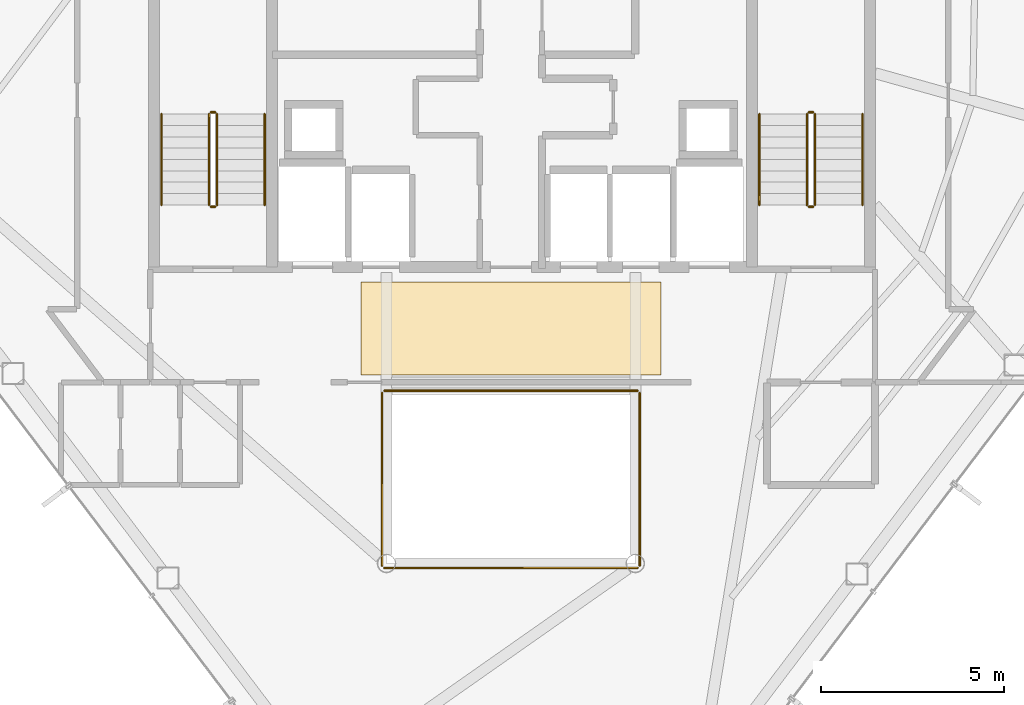
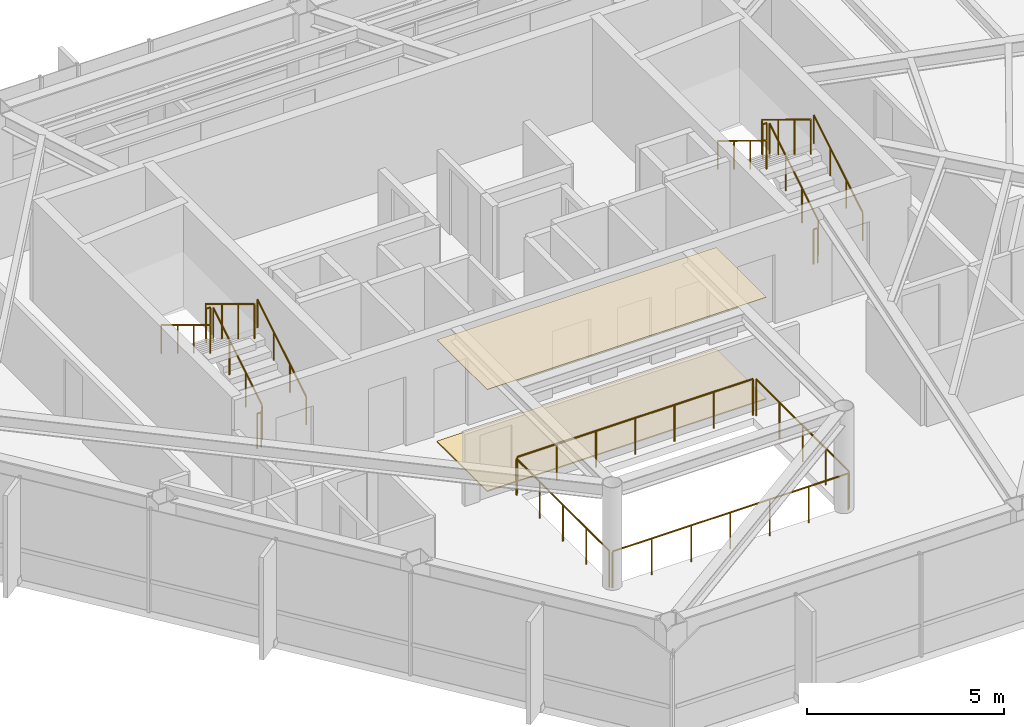
# One storey, part 25 of 25: 16 railings, 2 coverings.
"""IFC4 building model written with IfcOpenShell, lengths in metres."""

from ifc_helpers import new_model, si_unit, direction, frame, origin, origin_2d, place, context, subcontext, project, spatial, polyline, circle, outline, extrude, material, layer, layer_set, type_object, element, save


model = new_model("IFC4")

# Units and contexts
model_context = context("Model", 3, precision=1e-05, world=origin(), true_north=direction((0.0, 1.0)))
body_context = subcontext(model_context, "Body", "Model", "MODEL_VIEW")
ifc_project = project(units=[si_unit("LENGTHUNIT", "METRE"), si_unit("AREAUNIT", "SQUARE_METRE"), si_unit("VOLUMEUNIT", "CUBIC_METRE"), si_unit("PLANEANGLEUNIT", "RADIAN"), si_unit("MASSUNIT", "GRAM", prefix="KILO")], contexts=[model_context])

# Site, building, storey
site_placement = place(None, origin())
site = spatial("IfcSite", under=ifc_project, at=site_placement, CompositionType="ELEMENT")
building_placement = place(site_placement, origin())
building = spatial("IfcBuilding", under=site, at=building_placement, Name="Zarrinselat Tower", CompositionType="ELEMENT")
storey_placement = place(building_placement, frame((0.0, 0.0, 239.360107421875)))
storey = spatial("IfcBuildingStorey", under=building, at=storey_placement, Name="L60", CompositionType="ELEMENT", Elevation=239.360107421875)

# Coverings
ifc_material_1 = material(Name="Fire-Rated Gypsum Board Partition")
ifc_layer_1 = layer(ifc_material_1, 0.014892578125)
ifc_layer_set_1 = layer_set([ifc_layer_1], Name="Fire-Rated Gypsum Board Partition")
covering_type_1 = type_object("IfcCoveringType", Name="COV-CLG-AC15", PredefinedType="CEILING", material=ifc_layer_set_1)
covering_1_placement = place(storey_placement, frame((0.0, 0.0, 3.164794921875)))
element("IfcCovering", 1, at=covering_1_placement, inside=storey, type_object=covering_type_1, Name="L60 Lift Lobby Acoustic Ceiling", PredefinedType="CEILING", context=body_context, shape_type="SweptSolid", body=[
    extrude(outline(polyline([(34.300048828125, 30.35009765625), (42.5, 30.35009765625), (42.5, 32.89990234375), (34.300048828125, 32.89990234375), (34.300048828125, 30.35009765625)])), origin(), (0.0, 0.0, 1.0), 0.01513671875),
])
ifc_material_2 = material(Name="Precast concrete C40/50", Category="concrete")
ifc_layer_2 = layer(ifc_material_2, 0.034912109375)
ifc_layer_set_2 = layer_set([ifc_layer_2], Name="Precast concrete C40/50")
covering_type_2 = type_object("IfcCoveringType", Name="COV-FLR-CP35", PredefinedType="FLOORING", material=ifc_layer_set_2)
covering_2_placement = place(storey_placement, origin())
element("IfcCovering", 2, at=covering_2_placement, inside=storey, type_object=covering_type_2, Name="L60 Lift Lobby Stone Flooring", PredefinedType="FLOORING", context=body_context, shape_type="SweptSolid", body=[
    extrude(outline(polyline([(34.300048828125, 30.35009765625), (42.5, 30.35009765625), (42.5, 32.89990234375), (34.300048828125, 32.89990234375), (34.300048828125, 30.35009765625)])), origin(), (0.0, 0.0, 1.0), 0.034912109375),
])

# Railings
ifc_material_3 = material(Name="Double Low-E Laminated Solar Glass", Category="glass")
railing_type_1 = type_object("IfcRailingType", Name="RLG-ATRIUM-BAL", PredefinedType="BALUSTRADE", material=ifc_material_3)
railing_1_placement = place(storey_placement, frame((34.93994140625, 25.080078125, 0.0)))
element("IfcRailing", 3, at=railing_1_placement, inside=storey, type_object=railing_type_1, Name="L60 Atrium Void Glass Balustrade S", PredefinedType="BALUSTRADE", context=body_context, shape_type="SweptSolid", body=[
    extrude(circle(Radius=0.02392578125, at=origin_2d()), frame((0.0, 0.0, 1.1259765625), z_axis=(1.0, 0.0, 0.0), x_axis=(0.0, 1.0, 0.0)), (0.0, 0.0, 1.0), 6.920166015625),
    extrude(circle(Radius=0.02099609375, at=origin_2d()), origin(), (0.0, 0.0, 1.0), 1.099853515625),
    extrude(circle(Radius=0.02099609375, at=origin_2d()), frame((1.1533203125, 0.0, 0.0)), (0.0, 0.0, 1.0), 1.099853515625),
    extrude(circle(Radius=0.02099609375, at=origin_2d()), frame((2.306640625, 0.0, 0.0)), (0.0, 0.0, 1.0), 1.099853515625),
    extrude(circle(Radius=0.02099609375, at=origin_2d()), frame((3.4599609375, 0.0, 0.0)), (0.0, 0.0, 1.0), 1.099853515625),
    extrude(circle(Radius=0.02099609375, at=origin_2d()), frame((4.613525390625, 0.0, 0.0)), (0.0, 0.0, 1.0), 1.099853515625),
    extrude(circle(Radius=0.02099609375, at=origin_2d()), frame((5.766845703125, 0.0, 0.0)), (0.0, 0.0, 1.0), 1.099853515625),
    extrude(circle(Radius=0.02099609375, at=origin_2d()), frame((6.920166015625, 0.0, 0.0)), (0.0, 0.0, 1.0), 1.099853515625),
])
railing_2_placement = place(storey_placement, frame((41.919921875, 25.139892578125, 0.0)))
element("IfcRailing", 4, at=railing_2_placement, inside=storey, type_object=railing_type_1, Name="L60 Atrium Void Glass Balustrade E", PredefinedType="BALUSTRADE", context=body_context, shape_type="SweptSolid", body=[
    extrude(circle(Radius=0.02392578125, at=origin_2d()), frame((0.0, 0.0, 1.1259765625), z_axis=(0.0, 1.0, 0.0), x_axis=(-1.0, 0.0, 0.0)), (0.0, 0.0, 1.0), 4.72021484375),
    extrude(circle(Radius=0.02099609375, at=origin_2d()), origin(), (0.0, 0.0, 1.0), 1.099853515625),
    extrude(circle(Radius=0.02099609375, at=origin_2d()), frame((0.0, 1.18017578125, 0.0)), (0.0, 0.0, 1.0), 1.099853515625),
    extrude(circle(Radius=0.02099609375, at=origin_2d()), frame((0.0, 2.360107421875, 0.0)), (0.0, 0.0, 1.0), 1.099853515625),
    extrude(circle(Radius=0.02099609375, at=origin_2d()), frame((0.0, 3.5400390625, 0.0)), (0.0, 0.0, 1.0), 1.099853515625),
    extrude(circle(Radius=0.02099609375, at=origin_2d()), frame((0.0, 4.72021484375, 0.0)), (0.0, 0.0, 1.0), 1.099853515625),
])
railing_3_placement = place(storey_placement, frame((41.860107421875, 29.919921875, 0.0)))
element("IfcRailing", 5, at=railing_3_placement, inside=storey, type_object=railing_type_1, Name="L60 Atrium Void Glass Balustrade N", PredefinedType="BALUSTRADE", context=body_context, shape_type="SweptSolid", body=[
    extrude(circle(Radius=0.02392578125, at=origin_2d()), frame((0.0, 0.0, 1.1259765625), z_axis=(-1.0, 0.0, 0.0), x_axis=(0.0, -1.0, 0.0)), (0.0, 0.0, 1.0), 6.920166015625),
    extrude(circle(Radius=0.02099609375, at=origin_2d()), origin(), (0.0, 0.0, 1.0), 1.099853515625),
    extrude(circle(Radius=0.02099609375, at=origin_2d()), frame((-1.1533203125, 0.0, 0.0)), (0.0, 0.0, 1.0), 1.099853515625),
    extrude(circle(Radius=0.02099609375, at=origin_2d()), frame((-2.306640625, 0.0, 0.0)), (0.0, 0.0, 1.0), 1.099853515625),
    extrude(circle(Radius=0.02099609375, at=origin_2d()), frame((-3.4599609375, 0.0, 0.0)), (0.0, 0.0, 1.0), 1.099853515625),
    extrude(circle(Radius=0.02099609375, at=origin_2d()), frame((-4.613525390625, 0.0, 0.0)), (0.0, 0.0, 1.0), 1.099853515625),
    extrude(circle(Radius=0.02099609375, at=origin_2d()), frame((-5.766845703125, 0.0, 0.0)), (0.0, 0.0, 1.0), 1.099853515625),
    extrude(circle(Radius=0.02099609375, at=origin_2d()), frame((-6.920166015625, 0.0, 0.0)), (0.0, 0.0, 1.0), 1.099853515625),
])
railing_4_placement = place(storey_placement, frame((34.8798828125, 29.860107421875, 0.0)))
element("IfcRailing", 6, at=railing_4_placement, inside=storey, type_object=railing_type_1, Name="L60 Atrium Void Glass Balustrade W", PredefinedType="BALUSTRADE", context=body_context, shape_type="SweptSolid", body=[
    extrude(circle(Radius=0.02392578125, at=origin_2d()), frame((0.0, 0.0, 1.1259765625), z_axis=(0.0, -1.0, 0.0), x_axis=(1.0, 0.0, 0.0)), (0.0, 0.0, 1.0), 4.72021484375),
    extrude(circle(Radius=0.02099609375, at=origin_2d()), origin(), (0.0, 0.0, 1.0), 1.099853515625),
    extrude(circle(Radius=0.02099609375, at=origin_2d()), frame((0.0, -1.18017578125, 0.0)), (0.0, 0.0, 1.0), 1.099853515625),
    extrude(circle(Radius=0.02099609375, at=origin_2d()), frame((0.0, -2.360107421875, 0.0)), (0.0, 0.0, 1.0), 1.099853515625),
    extrude(circle(Radius=0.02099609375, at=origin_2d()), frame((0.0, -3.5400390625, 0.0)), (0.0, 0.0, 1.0), 1.099853515625),
    extrude(circle(Radius=0.02099609375, at=origin_2d()), frame((0.0, -4.72021484375, 0.0)), (0.0, 0.0, 1.0), 1.099853515625),
])
ifc_material_4 = material(Name="Steel S355J2", Category="steel")
railing_type_2 = type_object("IfcRailingType", Name="RLG-STAIR-GUARD", PredefinedType="GUARDRAIL", material=ifc_material_4)
railing_5_placement = place(storey_placement, frame((30.3701171875, 35.0, 0.188720703125)))
element("IfcRailing", 7, at=railing_5_placement, inside=storey, type_object=railing_type_2, Name="L60 ST-1 stair guard 1", PredefinedType="GUARDRAIL", context=body_context, shape_type="SweptSolid", body=[
    extrude(circle(Radius=0.02392578125, at=origin_2d()), frame((0.0, 0.0, 1.076171875), z_axis=(0.0, 0.853941963558, 0.520368256982), x_axis=(-1.0, 0.0, 0.0)), (0.0, 0.0, 1.0), 2.904052734375),
    extrude(circle(Radius=0.02099609375, at=origin_2d()), origin(), (0.0, 0.0, 1.0), 1.050048828125),
    extrude(circle(Radius=0.02099609375, at=origin_2d()), frame((0.0, 0.82666015625, 0.503662109375)), (0.0, 0.0, 1.0), 1.050048828125),
    extrude(circle(Radius=0.02099609375, at=origin_2d()), frame((0.0, 1.6533203125, 1.007568359375)), (0.0, 0.0, 1.0), 1.050048828125),
    extrude(circle(Radius=0.02099609375, at=origin_2d()), frame((0.0, 2.47998046875, 1.51123046875)), (0.0, 0.0, 1.0), 1.050048828125),
])
railing_6_placement = place(storey_placement, frame((30.320068359375, 37.530029296875, 1.699951171875)))
element("IfcRailing", 8, at=railing_6_placement, inside=storey, type_object=railing_type_2, Name="L60 ST-1 stair guard 2", PredefinedType="GUARDRAIL", context=body_context, shape_type="SweptSolid", body=[
    extrude(circle(Radius=0.02392578125, at=origin_2d()), frame((0.0, 0.0, 1.076171875), z_axis=(-1.0, 0.0, 0.0), x_axis=(0.0, -1.0, 0.0)), (0.0, 0.0, 1.0), 0.1201171875),
    extrude(circle(Radius=0.02099609375, at=origin_2d()), origin(), (0.0, 0.0, 1.0), 1.050048828125),
    extrude(circle(Radius=0.02099609375, at=origin_2d()), frame((-0.1201171875, 0.0, 0.0)), (0.0, 0.0, 1.0), 1.050048828125),
])
railing_7_placement = place(storey_placement, frame((30.14990234375, 37.47998046875, 1.888671875)))
element("IfcRailing", 9, at=railing_7_placement, inside=storey, type_object=railing_type_2, Name="L60 ST-1 stair guard 3", PredefinedType="GUARDRAIL", context=body_context, shape_type="SweptSolid", body=[
    extrude(circle(Radius=0.02392578125, at=origin_2d()), frame((0.0, 0.0, 1.076171875), z_axis=(0.0, -0.853941963558, 0.520368256982), x_axis=(1.0, 0.0, 0.0)), (0.0, 0.0, 1.0), 2.904052734375),
    extrude(circle(Radius=0.02099609375, at=origin_2d()), origin(), (0.0, 0.0, 1.0), 1.050048828125),
    extrude(circle(Radius=0.02099609375, at=origin_2d()), frame((0.0, -0.82666015625, 0.503662109375)), (0.0, 0.0, 1.0), 1.050048828125),
    extrude(circle(Radius=0.02099609375, at=origin_2d()), frame((0.0, -1.6533203125, 1.007568359375)), (0.0, 0.0, 1.0), 1.050048828125),
    extrude(circle(Radius=0.02099609375, at=origin_2d()), frame((0.0, -2.47998046875, 1.51123046875)), (0.0, 0.0, 1.0), 1.050048828125),
])
railing_8_placement = place(storey_placement, frame((30.320068359375, 34.949951171875, 0.0)))
element("IfcRailing", 10, at=railing_8_placement, inside=storey, type_object=railing_type_2, Name="L60 ST-1 stair guard 4", PredefinedType="GUARDRAIL", context=body_context, shape_type="SweptSolid", body=[
    extrude(circle(Radius=0.02392578125, at=origin_2d()), frame((0.0, 0.0, 1.076171875), z_axis=(-1.0, 0.0, 0.0), x_axis=(0.0, -1.0, 0.0)), (0.0, 0.0, 1.0), 0.1201171875),
    extrude(circle(Radius=0.02099609375, at=origin_2d()), origin(), (0.0, 0.0, 1.0), 1.050048828125),
    extrude(circle(Radius=0.02099609375, at=origin_2d()), frame((-0.1201171875, 0.0, 0.0)), (0.0, 0.0, 1.0), 1.050048828125),
])
railing_9_placement = place(storey_placement, frame((46.7099609375, 35.0, 0.188720703125)))
element("IfcRailing", 11, at=railing_9_placement, inside=storey, type_object=railing_type_2, Name="L60 ST-2 stair guard 1", PredefinedType="GUARDRAIL", context=body_context, shape_type="SweptSolid", body=[
    extrude(circle(Radius=0.02392578125, at=origin_2d()), frame((0.0, 0.0, 1.076171875), z_axis=(0.0, 0.853941963558, 0.520368256982), x_axis=(-1.0, 0.0, 0.0)), (0.0, 0.0, 1.0), 2.904052734375),
    extrude(circle(Radius=0.02099609375, at=origin_2d()), origin(), (0.0, 0.0, 1.0), 1.050048828125),
    extrude(circle(Radius=0.02099609375, at=origin_2d()), frame((0.0, 0.82666015625, 0.503662109375)), (0.0, 0.0, 1.0), 1.050048828125),
    extrude(circle(Radius=0.02099609375, at=origin_2d()), frame((0.0, 1.6533203125, 1.007568359375)), (0.0, 0.0, 1.0), 1.050048828125),
    extrude(circle(Radius=0.02099609375, at=origin_2d()), frame((0.0, 2.47998046875, 1.51123046875)), (0.0, 0.0, 1.0), 1.050048828125),
])
railing_10_placement = place(storey_placement, frame((46.659912109375, 37.530029296875, 1.699951171875)))
element("IfcRailing", 12, at=railing_10_placement, inside=storey, type_object=railing_type_2, Name="L60 ST-2 stair guard 2", PredefinedType="GUARDRAIL", context=body_context, shape_type="SweptSolid", body=[
    extrude(circle(Radius=0.02392578125, at=origin_2d()), frame((0.0, 0.0, 1.076171875), z_axis=(-1.0, 0.0, 0.0), x_axis=(0.0, -1.0, 0.0)), (0.0, 0.0, 1.0), 0.119873046875),
    extrude(circle(Radius=0.02099609375, at=origin_2d()), origin(), (0.0, 0.0, 1.0), 1.050048828125),
    extrude(circle(Radius=0.02099609375, at=origin_2d()), frame((-0.119873046875, 0.0, 0.0)), (0.0, 0.0, 1.0), 1.050048828125),
])
railing_11_placement = place(storey_placement, frame((46.489990234375, 37.47998046875, 1.888671875)))
element("IfcRailing", 13, at=railing_11_placement, inside=storey, type_object=railing_type_2, Name="L60 ST-2 stair guard 3", PredefinedType="GUARDRAIL", context=body_context, shape_type="SweptSolid", body=[
    extrude(circle(Radius=0.02392578125, at=origin_2d()), frame((0.0, 0.0, 1.076171875), z_axis=(0.0, -0.853941963558, 0.520368256982), x_axis=(1.0, 0.0, 0.0)), (0.0, 0.0, 1.0), 2.904052734375),
    extrude(circle(Radius=0.02099609375, at=origin_2d()), origin(), (0.0, 0.0, 1.0), 1.050048828125),
    extrude(circle(Radius=0.02099609375, at=origin_2d()), frame((0.0, -0.82666015625, 0.503662109375)), (0.0, 0.0, 1.0), 1.050048828125),
    extrude(circle(Radius=0.02099609375, at=origin_2d()), frame((0.0, -1.6533203125, 1.007568359375)), (0.0, 0.0, 1.0), 1.050048828125),
    extrude(circle(Radius=0.02099609375, at=origin_2d()), frame((0.0, -2.47998046875, 1.51123046875)), (0.0, 0.0, 1.0), 1.050048828125),
])
railing_12_placement = place(storey_placement, frame((46.659912109375, 34.949951171875, 0.0)))
element("IfcRailing", 14, at=railing_12_placement, inside=storey, type_object=railing_type_2, Name="L60 ST-2 stair guard 4", PredefinedType="GUARDRAIL", context=body_context, shape_type="SweptSolid", body=[
    extrude(circle(Radius=0.02392578125, at=origin_2d()), frame((0.0, 0.0, 1.076171875), z_axis=(-1.0, 0.0, 0.0), x_axis=(0.0, -1.0, 0.0)), (0.0, 0.0, 1.0), 0.119873046875),
    extrude(circle(Radius=0.02099609375, at=origin_2d()), origin(), (0.0, 0.0, 1.0), 1.050048828125),
    extrude(circle(Radius=0.02099609375, at=origin_2d()), frame((-0.119873046875, 0.0, 0.0)), (0.0, 0.0, 1.0), 1.050048828125),
])
ifc_material_5 = material(Name="Steel S355J2", Category="steel")
railing_type_3 = type_object("IfcRailingType", Name="RLG-STAIR-HAND", PredefinedType="HANDRAIL", material=ifc_material_5)
railing_13_placement = place(storey_placement, frame((31.669921875, 35.0, 0.188720703125)))
element("IfcRailing", 15, at=railing_13_placement, inside=storey, type_object=railing_type_3, Name="L60 ST-1 stair handrail 1", PredefinedType="HANDRAIL", context=body_context, shape_type="SweptSolid", body=[
    extrude(circle(Radius=0.02392578125, at=origin_2d()), frame((0.0, 0.0, 0.8759765625), z_axis=(0.0, 0.853941963558, 0.520368256982), x_axis=(-1.0, 0.0, 0.0)), (0.0, 0.0, 1.0), 2.904052734375),
    extrude(circle(Radius=0.02099609375, at=origin_2d()), origin(), (0.0, 0.0, 1.0), 0.849853515625),
    extrude(circle(Radius=0.02099609375, at=origin_2d()), frame((0.0, 0.82666015625, 0.503662109375)), (0.0, 0.0, 1.0), 0.849853515625),
    extrude(circle(Radius=0.02099609375, at=origin_2d()), frame((0.0, 1.6533203125, 1.007568359375)), (0.0, 0.0, 1.0), 0.849853515625),
    extrude(circle(Radius=0.02099609375, at=origin_2d()), frame((0.0, 2.47998046875, 1.51123046875)), (0.0, 0.0, 1.0), 0.849853515625),
])
railing_14_placement = place(storey_placement, frame((28.85009765625, 37.47998046875, 1.888671875)))
element("IfcRailing", 16, at=railing_14_placement, inside=storey, type_object=railing_type_3, Name="L60 ST-1 stair handrail 2", PredefinedType="HANDRAIL", context=body_context, shape_type="SweptSolid", body=[
    extrude(circle(Radius=0.02392578125, at=origin_2d()), frame((0.0, 0.0, 0.8759765625), z_axis=(0.0, -0.853941963558, 0.520368256982), x_axis=(1.0, 0.0, 0.0)), (0.0, 0.0, 1.0), 2.904052734375),
    extrude(circle(Radius=0.02099609375, at=origin_2d()), origin(), (0.0, 0.0, 1.0), 0.849853515625),
    extrude(circle(Radius=0.02099609375, at=origin_2d()), frame((0.0, -0.82666015625, 0.503662109375)), (0.0, 0.0, 1.0), 0.849853515625),
    extrude(circle(Radius=0.02099609375, at=origin_2d()), frame((0.0, -1.6533203125, 1.007568359375)), (0.0, 0.0, 1.0), 0.849853515625),
    extrude(circle(Radius=0.02099609375, at=origin_2d()), frame((0.0, -2.47998046875, 1.51123046875)), (0.0, 0.0, 1.0), 0.849853515625),
])
railing_15_placement = place(storey_placement, frame((48.010009765625, 35.0, 0.188720703125)))
element("IfcRailing", 17, at=railing_15_placement, inside=storey, type_object=railing_type_3, Name="L60 ST-2 stair handrail 1", PredefinedType="HANDRAIL", context=body_context, shape_type="SweptSolid", body=[
    extrude(circle(Radius=0.02392578125, at=origin_2d()), frame((0.0, 0.0, 0.8759765625), z_axis=(0.0, 0.853941963558, 0.520368256982), x_axis=(-1.0, 0.0, 0.0)), (0.0, 0.0, 1.0), 2.904052734375),
    extrude(circle(Radius=0.02099609375, at=origin_2d()), origin(), (0.0, 0.0, 1.0), 0.849853515625),
    extrude(circle(Radius=0.02099609375, at=origin_2d()), frame((0.0, 0.82666015625, 0.503662109375)), (0.0, 0.0, 1.0), 0.849853515625),
    extrude(circle(Radius=0.02099609375, at=origin_2d()), frame((0.0, 1.6533203125, 1.007568359375)), (0.0, 0.0, 1.0), 0.849853515625),
    extrude(circle(Radius=0.02099609375, at=origin_2d()), frame((0.0, 2.47998046875, 1.51123046875)), (0.0, 0.0, 1.0), 0.849853515625),
])
railing_16_placement = place(storey_placement, frame((45.18994140625, 37.47998046875, 1.888671875)))
element("IfcRailing", 18, at=railing_16_placement, inside=storey, type_object=railing_type_3, Name="L60 ST-2 stair handrail 2", PredefinedType="HANDRAIL", context=body_context, shape_type="SweptSolid", body=[
    extrude(circle(Radius=0.02392578125, at=origin_2d()), frame((0.0, 0.0, 0.8759765625), z_axis=(0.0, -0.853941963558, 0.520368256982), x_axis=(1.0, 0.0, 0.0)), (0.0, 0.0, 1.0), 2.904052734375),
    extrude(circle(Radius=0.02099609375, at=origin_2d()), origin(), (0.0, 0.0, 1.0), 0.849853515625),
    extrude(circle(Radius=0.02099609375, at=origin_2d()), frame((0.0, -0.82666015625, 0.503662109375)), (0.0, 0.0, 1.0), 0.849853515625),
    extrude(circle(Radius=0.02099609375, at=origin_2d()), frame((0.0, -1.6533203125, 1.007568359375)), (0.0, 0.0, 1.0), 0.849853515625),
    extrude(circle(Radius=0.02099609375, at=origin_2d()), frame((0.0, -2.47998046875, 1.51123046875)), (0.0, 0.0, 1.0), 0.849853515625),
])

save(model, "model.ifc")
